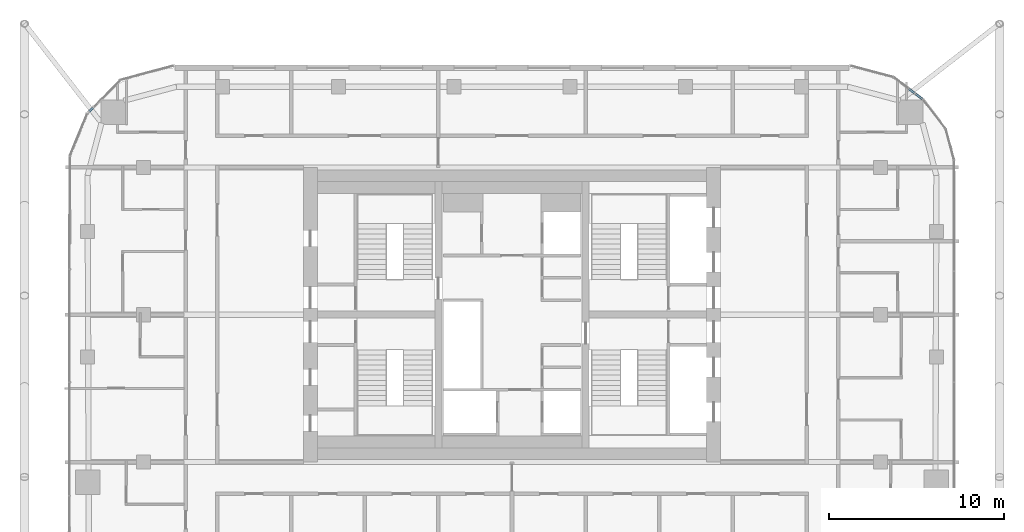
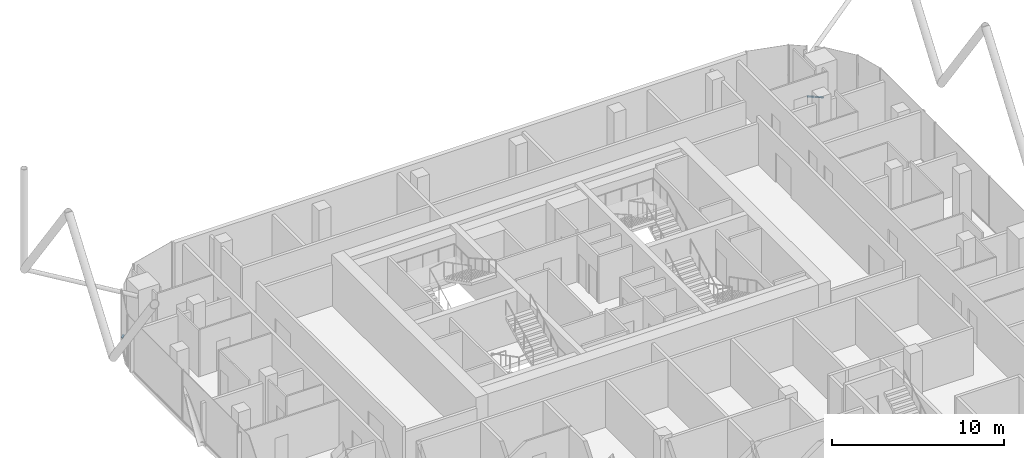
# One storey, part 13 of 28: 3 members, 3 elements without a shape of their own.
"""IFC4 building model written with IfcOpenShell, lengths in metres."""

from ifc_helpers import new_model, si_unit, direction, frame, origin, origin_2d, place, context, subcontext, project, spatial, rectangle, extrude, material, layer, layer_set, material_profile, profile_set, type_object, element, aggregate, save


model = new_model("IFC4")

# Units and contexts
model_context = context("Model", 3, precision=1e-05, world=origin(), true_north=direction((0.0, 1.0)))
body_context = subcontext(model_context, "Body", "Model", "MODEL_VIEW")
ifc_project = project(units=[si_unit("LENGTHUNIT", "METRE"), si_unit("AREAUNIT", "SQUARE_METRE"), si_unit("VOLUMEUNIT", "CUBIC_METRE"), si_unit("PLANEANGLEUNIT", "RADIAN"), si_unit("MASSUNIT", "GRAM", prefix="KILO")], contexts=[model_context])

# Site, building, storey
site_placement = place(None, origin())
site = spatial("IfcSite", under=ifc_project, at=site_placement, CompositionType="ELEMENT")
building_placement = place(site_placement, origin())
building = spatial("IfcBuilding", under=site, at=building_placement, Name="Marenta Gate Hotel Tower", CompositionType="ELEMENT")
storey_placement = place(building_placement, frame((0.0, 0.0, 212.89990234375)))
storey = spatial("IfcBuildingStorey", under=building, at=storey_placement, Name="L49", CompositionType="ELEMENT", Elevation=212.89990234375)

# Curtain wall, member
ifc_material_1 = material(Name="Tinted insulated glass in bronze anodised frame", Category="glass")
ifc_layer = layer(ifc_material_1, 0.1201171875)
ifc_layer_set = layer_set([ifc_layer], Name="Tinted insulated glass in bronze anodised frame")
curtain_wall_type = type_object("IfcCurtainWallType", Name="Tower unitised curtain wall CW1", PredefinedType="NOTDEFINED", material=ifc_layer_set)
curtain_wall_1_placement = place(storey_placement, origin())
curtain_wall_1 = element("IfcCurtainWall", 1, at=curtain_wall_1_placement, inside=storey, type_object=curtain_wall_type, Name="CW1 run G02", PredefinedType="NOTDEFINED")
ifc_material_2 = material(Name="Bronze anodised aluminium", Category="aluminium")
ifc_material_profile = material_profile(ifc_material_2, rectangle(XDim=0.1201171875, YDim=0.06005859375, at=origin_2d()), Name="Transom CW1 60x120 bronze anodised aluminium")
ifc_profile_set = profile_set([ifc_material_profile], Name="Bronze anodised aluminium")
member_type = type_object("IfcMemberType", Name="Transom CW1 60x120 bronze anodised aluminium", PredefinedType="USERDEFINED", material=ifc_profile_set)
member_1_placement = place(storey_placement, frame((-23.884521484375, 20.220458984375, 0.030029296875), z_axis=(-0.707106781187, -0.707106781187, 0.0), x_axis=(0.707106781187, -0.707106781187, 0.0)))
member_1 = element("IfcMember", 2, at=member_1_placement, type_object=member_type, Name="CW1 transom 1.1", ObjectType="TRANSOM", PredefinedType="USERDEFINED", context=body_context, shape_type="SweptSolid", body=[
    extrude(rectangle(XDim=0.1201171875, YDim=0.06005859375, at=origin_2d()), origin(), (0.0, 0.0, 1.0), 0.336669921875),
])
aggregate(curtain_wall_1, [member_1])

curtain_wall_2_placement = place(storey_placement, origin())
curtain_wall_2 = element("IfcCurtainWall", 3, at=curtain_wall_2_placement, inside=storey, type_object=curtain_wall_type, Name="CW1 run G22", PredefinedType="NOTDEFINED")
member_2_placement = place(storey_placement, frame((23.405029296875, 20.689208984375, 0.030029296875), z_axis=(-0.793396206785, 0.608705560233, 0.0), x_axis=(-0.608705560233, -0.793396206785, 0.0)))
member_2 = element("IfcMember", 4, at=member_2_placement, type_object=member_type, Name="CW1 transom 1.1", ObjectType="TRANSOM", PredefinedType="USERDEFINED", context=body_context, shape_type="SweptSolid", body=[
    extrude(rectangle(XDim=0.1201171875, YDim=0.06005859375, at=origin_2d()), origin(), (0.0, 0.0, 1.0), 0.5048828125),
])
aggregate(curtain_wall_2, [member_2])

curtain_wall_3_placement = place(storey_placement, origin())
curtain_wall_3 = element("IfcCurtainWall", 5, at=curtain_wall_3_placement, inside=storey, type_object=curtain_wall_type, Name="CW1 run G23", PredefinedType="NOTDEFINED")
member_3_placement = place(storey_placement, frame((22.956787109375, 21.033203125, 0.030029296875), z_axis=(-0.793423480353, 0.608670009796, 0.0), x_axis=(-0.608670009796, -0.793423480353, 0.0)))
member_3 = element("IfcMember", 6, at=member_3_placement, type_object=member_type, Name="CW1 transom 1.1", ObjectType="TRANSOM", PredefinedType="USERDEFINED", context=body_context, shape_type="SweptSolid", body=[
    extrude(rectangle(XDim=0.1201171875, YDim=0.06005859375, at=origin_2d()), origin(), (0.0, 0.0, 1.0), 0.408203125),
])
aggregate(curtain_wall_3, [member_3])

save(model, "model.ifc")
